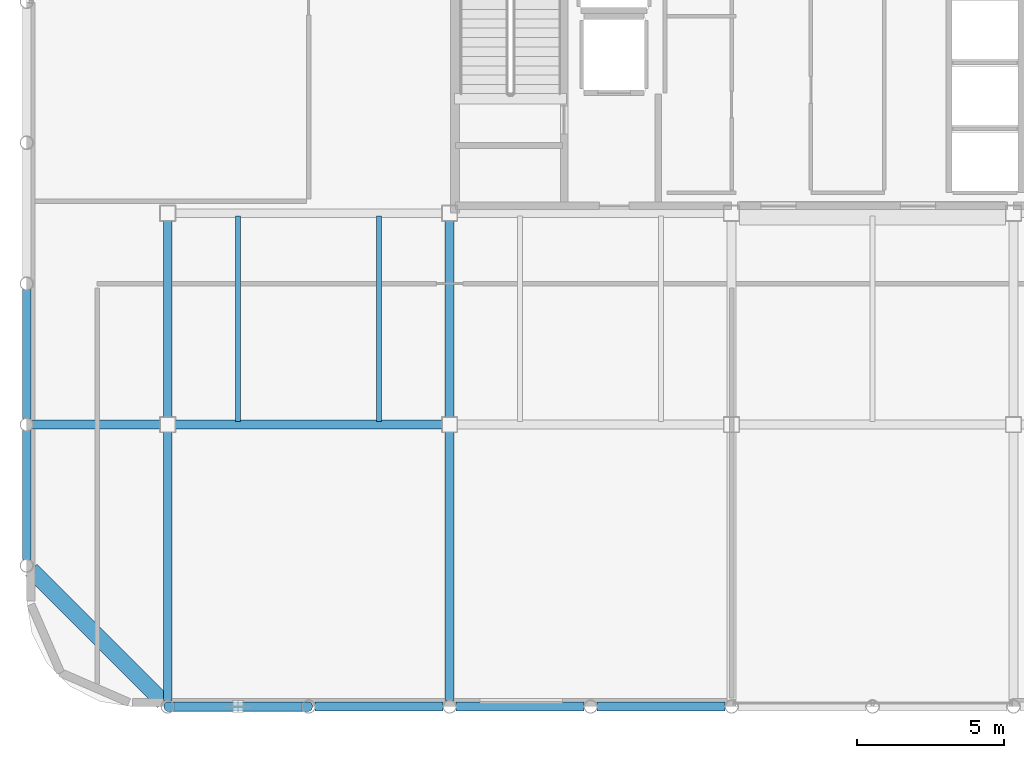
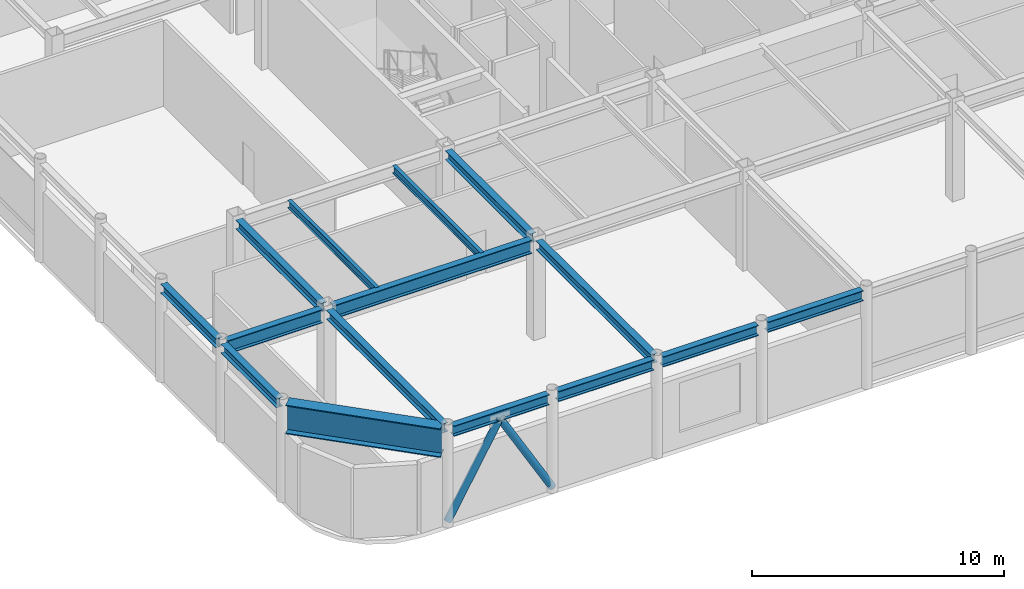
# One storey, part 4 of 21: 15 beams, 2 members.
"""IFC4 building model written with IfcOpenShell, lengths in metres."""

from ifc_helpers import new_model, si_unit, direction, frame, origin, origin_2d, place, context, subcontext, project, spatial, hollow_circle, i_section, extrude, material, material_profile, profile_set, type_object, element, save


model = new_model("IFC4")

# Units and contexts
model_context = context("Model", 3, precision=1e-05, world=origin(), true_north=direction((0.0, 1.0)))
body_context = subcontext(model_context, "Body", "Model", "MODEL_VIEW")
ifc_project = project(units=[si_unit("LENGTHUNIT", "METRE"), si_unit("AREAUNIT", "SQUARE_METRE"), si_unit("VOLUMEUNIT", "CUBIC_METRE"), si_unit("PLANEANGLEUNIT", "RADIAN"), si_unit("MASSUNIT", "GRAM", prefix="KILO")], contexts=[model_context])

# Site, building, storey
site_placement = place(None, origin())
site = spatial("IfcSite", under=ifc_project, at=site_placement, CompositionType="ELEMENT")
building_placement = place(site_placement, origin())
building = spatial("IfcBuilding", under=site, at=building_placement, Name="Kallvorn Hotel Tower", CompositionType="ELEMENT")
storey_placement = place(building_placement, frame((0.0, 0.0, 290.60009765625)))
storey = spatial("IfcBuildingStorey", under=building, at=storey_placement, Name="L72", CompositionType="ELEMENT", Elevation=290.60009765625)

# Beams
ifc_material_1 = material(Name="Structural steel S355JR", Category="steel")
ifc_material_profile_1 = material_profile(ifc_material_1, i_section(OverallWidth=0.300048828125, OverallDepth=0.43994140625, WebThickness=0.011474609375, FlangeThickness=0.02099609375, at=origin_2d()), Name="HE 450 A")
ifc_profile_set_1 = profile_set([ifc_material_profile_1], Name="Structural steel S355JR")
beam_type_1 = type_object("IfcBeamType", Name="BM_HE450A", PredefinedType="BEAM", material=ifc_profile_set_1)
for number, where, z_axis, x_axis, name in (
    (1, (-28.800048828125, -18.99658203125, 4.579833984375), (0.0, 1.0, 0.0), (-1.0, 0.0, 0.0), "L73 Primary Y-Girder 25"),
    (2, (-28.800048828125, -14.196533203125, 4.579833984375), (0.0, 1.0, 0.0), (-1.0, 0.0, 0.0), "L73 Primary Y-Girder 26"),
):
    element("IfcBeam", number, at=place(storey_placement, frame(where, z_axis=z_axis, x_axis=x_axis)), inside=storey, type_object=beam_type_1, Name=name, PredefinedType="BEAM", context=body_context, shape_type="SweptSolid", body=[
        extrude(i_section(OverallWidth=0.300048828125, OverallDepth=0.43994140625, WebThickness=0.011474609375, FlangeThickness=0.02099609375, at=origin_2d()), origin(), (0.0, 0.0, 1.0), 4.39306640625),
    ])
beam_1_placement = place(storey_placement, frame((-24.0, -23.79638671875, 4.579833984375), z_axis=(0.0, 1.0, 0.0), x_axis=(-1.0, 0.0, 0.0)))
element("IfcBeam", 3, at=beam_1_placement, inside=storey, type_object=beam_type_1, Name="L73 Primary Y-Girder 31", PredefinedType="BEAM", context=body_context, shape_type="SweptSolid", body=[
    extrude(i_section(OverallWidth=0.300048828125, OverallDepth=0.43994140625, WebThickness=0.011474609375, FlangeThickness=0.02099609375, at=origin_2d()), origin(), (0.0, 0.0, 1.0), 9.146484375),
])
beam_2_placement = place(storey_placement, frame((-24.0, -14.14990234375, 4.579833984375), z_axis=(0.0, 1.0, 0.0), x_axis=(-1.0, 0.0, 0.0)))
element("IfcBeam", 4, at=beam_2_placement, inside=storey, type_object=beam_type_1, Name="L73 Primary Y-Girder 32", PredefinedType="BEAM", context=body_context, shape_type="SweptSolid", body=[
    extrude(i_section(OverallWidth=0.300048828125, OverallDepth=0.43994140625, WebThickness=0.011474609375, FlangeThickness=0.02099609375, at=origin_2d()), origin(), (0.0, 0.0, 1.0), 6.699951171875),
])
beam_3_placement = place(storey_placement, frame((-14.39990234375, -23.79638671875, 4.579833984375), z_axis=(0.0, 1.0, 0.0), x_axis=(-1.0, 0.0, 0.0)))
element("IfcBeam", 5, at=beam_3_placement, inside=storey, type_object=beam_type_1, Name="L73 Primary Y-Girder 34", PredefinedType="BEAM", context=body_context, shape_type="SweptSolid", body=[
    extrude(i_section(OverallWidth=0.300048828125, OverallDepth=0.43994140625, WebThickness=0.011474609375, FlangeThickness=0.02099609375, at=origin_2d()), origin(), (0.0, 0.0, 1.0), 9.146484375),
])
beam_4_placement = place(storey_placement, frame((-14.39990234375, -14.14990234375, 4.579833984375), z_axis=(0.0, 1.0, 0.0), x_axis=(-1.0, 0.0, 0.0)))
element("IfcBeam", 6, at=beam_4_placement, inside=storey, type_object=beam_type_1, Name="L73 Primary Y-Girder 35", PredefinedType="BEAM", context=body_context, shape_type="SweptSolid", body=[
    extrude(i_section(OverallWidth=0.300048828125, OverallDepth=0.43994140625, WebThickness=0.011474609375, FlangeThickness=0.02099609375, at=origin_2d()), origin(), (0.0, 0.0, 1.0), 6.699951171875),
])
ifc_material_2 = material(Name="Structural steel S355JR", Category="steel")
ifc_material_profile_2 = material_profile(ifc_material_2, i_section(OverallWidth=0.300048828125, OverallDepth=0.5, WebThickness=0.014404296875, FlangeThickness=0.028076171875, at=origin_2d()), Name="HE 500 B")
ifc_profile_set_2 = profile_set([ifc_material_profile_2], Name="Structural steel S355JR")
beam_type_2 = type_object("IfcBeamType", Name="BM_HE500B", PredefinedType="SPANDREL", material=ifc_profile_set_2)
for number, where, z_axis, x_axis, name in (
    (7, (-23.781494140625, -24.0, 4.5498046875), (1.0, 0.0, 0.0), (0.0, 1.0, 0.0), "L73 Perimeter Spandrel 54"),
    (8, (-18.9814453125, -24.0, 4.5498046875), (1.0, 0.0, 0.0), (0.0, 1.0, 0.0), "L73 Perimeter Spandrel 55"),
):
    element("IfcBeam", number, at=place(storey_placement, frame(where, z_axis=z_axis, x_axis=x_axis)), inside=storey, type_object=beam_type_2, Name=name, PredefinedType="SPANDREL", context=body_context, shape_type="SweptSolid", body=[
        extrude(i_section(OverallWidth=0.300048828125, OverallDepth=0.5, WebThickness=0.014404296875, FlangeThickness=0.028076171875, at=origin_2d()), origin(), (0.0, 0.0, 1.0), 4.363037109375),
    ])
beam_5_placement = place(storey_placement, frame((-14.181396484375, -24.0, 4.5498046875), z_axis=(1.0, 0.0, 0.0), x_axis=(0.0, 1.0, 0.0)))
element("IfcBeam", 9, at=beam_5_placement, inside=storey, type_object=beam_type_2, Name="L73 Perimeter Spandrel 56", PredefinedType="SPANDREL", context=body_context, shape_type="SweptSolid", body=[
    extrude(i_section(OverallWidth=0.300048828125, OverallDepth=0.5, WebThickness=0.014404296875, FlangeThickness=0.028076171875, at=origin_2d()), origin(), (0.0, 0.0, 1.0), 4.36279296875),
])
beam_6_placement = place(storey_placement, frame((-9.381591796875, -24.0, 4.5498046875), z_axis=(1.0, 0.0, 0.0), x_axis=(0.0, 1.0, 0.0)))
element("IfcBeam", 10, at=beam_6_placement, inside=storey, type_object=beam_type_2, Name="L73 Perimeter Spandrel 57", PredefinedType="SPANDREL", context=body_context, shape_type="SweptSolid", body=[
    extrude(i_section(OverallWidth=0.300048828125, OverallDepth=0.5, WebThickness=0.014404296875, FlangeThickness=0.028076171875, at=origin_2d()), origin(), (0.0, 0.0, 1.0), 4.363037109375),
])
ifc_material_3 = material(Name="Structural steel S355JR", Category="steel")
ifc_material_profile_3 = material_profile(ifc_material_3, i_section(OverallWidth=0.300048828125, OverallDepth=0.64990234375, WebThickness=0.01611328125, FlangeThickness=0.031005859375, at=origin_2d()), Name="HE 650 B")
ifc_profile_set_3 = profile_set([ifc_material_profile_3], Name="Structural steel S355JR")
beam_type_3 = type_object("IfcBeamType", Name="BM_HE650B", PredefinedType="BEAM", material=ifc_profile_set_3)
beam_7_placement = place(storey_placement, frame((-28.596435546875, -14.39990234375, 4.474853515625), z_axis=(1.0, 0.0, 0.0), x_axis=(0.0, 1.0, 0.0)))
element("IfcBeam", 11, at=beam_7_placement, inside=storey, type_object=beam_type_3, Name="L73 Primary X-Girder 01", PredefinedType="BEAM", context=body_context, shape_type="SweptSolid", body=[
    extrude(i_section(OverallWidth=0.300048828125, OverallDepth=0.64990234375, WebThickness=0.01611328125, FlangeThickness=0.031005859375, at=origin_2d()), origin(), (0.0, 0.0, 1.0), 4.346435546875),
])
beam_8_placement = place(storey_placement, frame((-23.75, -14.39990234375, 4.474853515625), z_axis=(1.0, 0.0, 0.0), x_axis=(0.0, 1.0, 0.0)))
element("IfcBeam", 12, at=beam_8_placement, inside=storey, type_object=beam_type_3, Name="L73 Primary X-Girder 02", PredefinedType="BEAM", context=body_context, shape_type="SweptSolid", body=[
    extrude(i_section(OverallWidth=0.300048828125, OverallDepth=0.64990234375, WebThickness=0.01611328125, FlangeThickness=0.031005859375, at=origin_2d()), origin(), (0.0, 0.0, 1.0), 9.10009765625),
])
ifc_material_4 = material(Name="Structural steel S355JR", Category="steel")
ifc_material_profile_4 = material_profile(ifc_material_4, i_section(OverallWidth=0.169921875, OverallDepth=0.360107421875, WebThickness=0.008056640625, FlangeThickness=0.0126953125, at=origin_2d()), Name="IPE 360")
ifc_profile_set_4 = profile_set([ifc_material_profile_4], Name="Structural steel S355JR")
beam_type_4 = type_object("IfcBeamType", Name="BM_IPE360", PredefinedType="JOIST", material=ifc_profile_set_4)
for number, where, z_axis, x_axis, name in (
    (13, (-21.60009765625, -14.300048828125, 4.619873046875), (0.0, 1.0, 0.0), (-1.0, 0.0, 0.0), "L73 Secondary Composite Joist 90"),
    (14, (-16.800048828125, -14.300048828125, 4.619873046875), (0.0, 1.0, 0.0), (-1.0, 0.0, 0.0), "L73 Secondary Composite Joist 92"),
):
    element("IfcBeam", number, at=place(storey_placement, frame(where, z_axis=z_axis, x_axis=x_axis)), inside=storey, type_object=beam_type_4, Name=name, PredefinedType="JOIST", context=body_context, shape_type="SweptSolid", body=[
        extrude(i_section(OverallWidth=0.169921875, OverallDepth=0.360107421875, WebThickness=0.008056640625, FlangeThickness=0.0126953125, at=origin_2d()), origin(), (0.0, 0.0, 1.0), 7.0),
    ])
ifc_material_5 = material(Name="Structural steel S355JR", Category="steel")
ifc_material_profile_5 = material_profile(ifc_material_5, i_section(OverallWidth=0.550048828125, OverallDepth=1.39990234375, WebThickness=0.02490234375, FlangeThickness=0.044921875, at=origin_2d()), Name="PG 1400x550x25x45")
ifc_profile_set_5 = profile_set([ifc_material_profile_5], Name="Structural steel S355JR")
beam_type_5 = type_object("IfcBeamType", Name="BM_PG_1400", PredefinedType="BEAM", material=ifc_profile_set_5)
beam_9_placement = place(storey_placement, frame((-28.6455078125, -19.3544921875, 4.099853515625), z_axis=(0.707106781187, -0.707106781187, 0.0), x_axis=(0.707106781187, 0.707106781187, 0.0)))
element("IfcBeam", 15, at=beam_9_placement, inside=storey, type_object=beam_type_5, Name="L73 Rounded Corner Tie Beam 86", PredefinedType="BEAM", context=body_context, shape_type="SweptSolid", body=[
    extrude(i_section(OverallWidth=0.550048828125, OverallDepth=1.39990234375, WebThickness=0.02490234375, FlangeThickness=0.044921875, at=origin_2d()), origin(), (0.0, 0.0, 1.0), 6.35107421875),
])

# Members
ifc_material_6 = material(Name="Structural steel S355J2H", Category="steel")
ifc_material_profile_6 = material_profile(ifc_material_6, hollow_circle(Radius=0.161865234375, WallThickness=0.012451171875, at=origin_2d()), Name="CHS 323.9x12.5")
ifc_profile_set_6 = profile_set([ifc_material_profile_6], Name="Structural steel S355J2H")
member_type = type_object("IfcMemberType", Name="MBR_EXO_CHS323", PredefinedType="BRACE", material=ifc_profile_set_6)
member_1_placement = place(storey_placement, frame((-23.989990234375, -24.0, 0.197265625), z_axis=(0.499712098434, 0.0, 0.866191560037), x_axis=(0.0, 1.0, 0.0)))
element("IfcMember", 16, at=member_1_placement, inside=storey, type_object=member_type, Name="L72 Exoskeleton K-Brace S1A", PredefinedType="BRACE", context=body_context, shape_type="SweptSolid", body=[
    extrude(hollow_circle(Radius=0.161865234375, WallThickness=0.012451171875, at=origin_2d()), origin(), (0.0, 0.0, 1.0), 4.762451171875),
])
member_2_placement = place(storey_placement, frame((-19.2099609375, -24.0, 0.197265625), z_axis=(-0.499750558989, 0.0, 0.866169370729), x_axis=(0.0, -1.0, 0.0)))
element("IfcMember", 17, at=member_2_placement, inside=storey, type_object=member_type, Name="L72 Exoskeleton K-Brace S1B", PredefinedType="BRACE", context=body_context, shape_type="SweptSolid", body=[
    extrude(hollow_circle(Radius=0.161865234375, WallThickness=0.012451171875, at=origin_2d()), origin(), (0.0, 0.0, 1.0), 4.7626953125),
])

save(model, "model.ifc")
